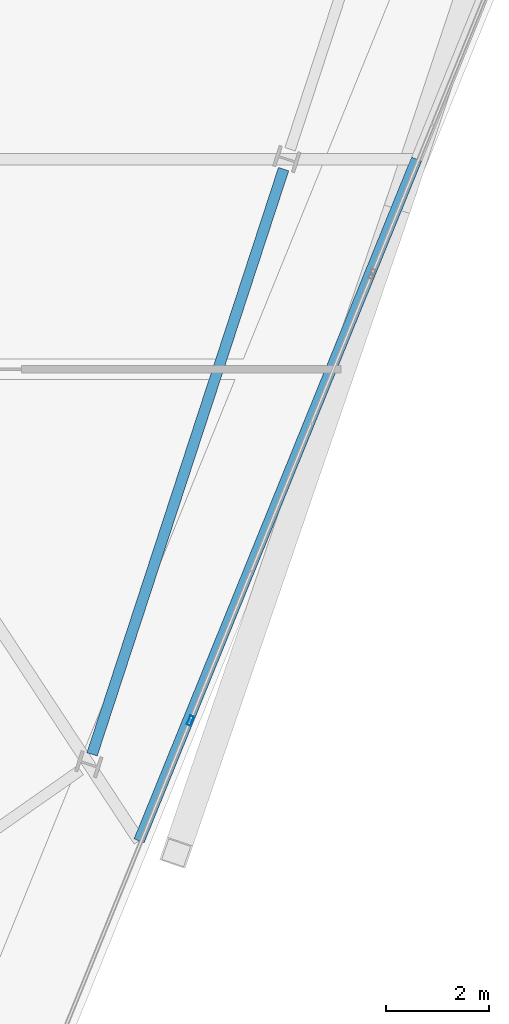
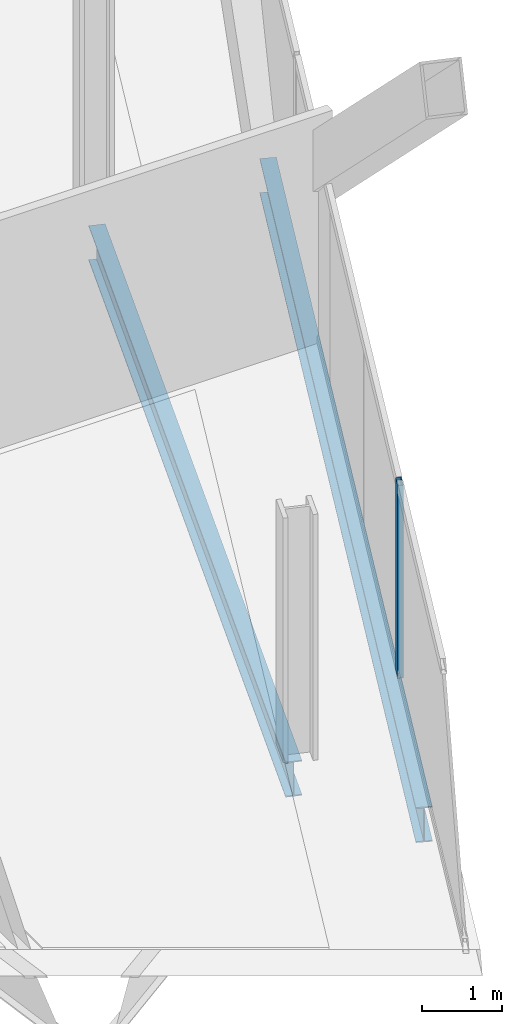
# One storey, part 11 of 31: 2 beams, 1 member, 1 element without a shape of its own.
"""IFC4 building model written with IfcOpenShell, lengths in metres."""

from ifc_helpers import new_model, si_unit, direction, frame, origin, origin_2d, place, context, subcontext, project, spatial, hollow_rectangle, i_section, extrude, material, material_profile, profile_set, type_object, element, aggregate, save


model = new_model("IFC4")

# Units and contexts
model_context = context("Model", 3, precision=1e-05, world=origin(), true_north=direction((0.0, 1.0)))
body_context = subcontext(model_context, "Body", "Model", "MODEL_VIEW")
ifc_project = project(units=[si_unit("LENGTHUNIT", "METRE"), si_unit("AREAUNIT", "SQUARE_METRE"), si_unit("VOLUMEUNIT", "CUBIC_METRE"), si_unit("PLANEANGLEUNIT", "RADIAN"), si_unit("MASSUNIT", "GRAM", prefix="KILO")], contexts=[model_context])

# Site, building, storey
site_placement = place(None, origin())
site = spatial("IfcSite", under=ifc_project, at=site_placement, CompositionType="ELEMENT")
building_placement = place(site_placement, origin())
building = spatial("IfcBuilding", under=site, at=building_placement, Name="Haldenkirk Collegiate Tower", CompositionType="ELEMENT")
storey_placement = place(building_placement, frame((0.0, 0.0, 256.199951171875)))
storey = spatial("IfcBuildingStorey", under=building, at=storey_placement, Name="L64", CompositionType="ELEMENT", Elevation=256.199951171875)

# Beams
ifc_material_1 = material(Name="Steel ASTM A992 Grade 50", Category="steel")
ifc_material_profile_1 = material_profile(ifc_material_1, i_section(OverallWidth=0.2099609375, OverallDepth=0.537109375, WebThickness=0.010986328125, FlangeThickness=0.017333984375, at=origin_2d()), Name="W21X68")
ifc_profile_set_1 = profile_set([ifc_material_profile_1], Name="Steel ASTM A992 Grade 50")
beam_type = type_object("IfcBeamType", Name="BM-SPANDREL-W21X68", PredefinedType="SPANDREL", material=ifc_profile_set_1)
beam_1_placement = place(storey_placement, frame((51.7060546875, 8.081298828125, -0.538330078125), z_axis=(0.311010188249, 0.950406577631, 0.0), x_axis=(-0.950406577631, 0.311010188249, 0.0)))
element("IfcBeam", 1, at=beam_1_placement, inside=storey, type_object=beam_type, Name="L64 perimeter spandrel beam 02", PredefinedType="SPANDREL", context=body_context, shape_type="SweptSolid", body=[
    extrude(i_section(OverallWidth=0.2099609375, OverallDepth=0.537109375, WebThickness=0.010986328125, FlangeThickness=0.017333984375, at=origin_2d()), origin(), (0.0, 0.0, 1.0), 11.94287109375),
])
beam_2_placement = place(storey_placement, frame((52.6181640625, 6.404296875, -0.538330078125), z_axis=(0.377037163959, 0.926198130528, 0.0), x_axis=(-0.926198130528, 0.377037163959, 0.0)))
element("IfcBeam", 2, at=beam_2_placement, inside=storey, type_object=beam_type, Name="L64 outer facade edge beam 1A", PredefinedType="SPANDREL", context=body_context, shape_type="SweptSolid", body=[
    extrude(i_section(OverallWidth=0.2099609375, OverallDepth=0.537109375, WebThickness=0.010986328125, FlangeThickness=0.017333984375, at=origin_2d()), origin(), (0.0, 0.0, 1.0), 14.2734375),
])

# Curtain wall, member
ifc_material_2 = material(Name="Anodised architectural bronze aluminium", Category="aluminium")
curtain_wall_type = type_object("IfcCurtainWallType", Name="CW-SYS2-CONCAVE", PredefinedType="USERDEFINED", material=ifc_material_2)
curtain_wall_placement = place(storey_placement, origin())
curtain_wall = element("IfcCurtainWall", 3, at=curtain_wall_placement, inside=storey, type_object=curtain_wall_type, Name="L64 South concave recessed bronze-anodised curtain wall", ObjectType="UNITISED CURTAIN WALL", PredefinedType="USERDEFINED")
ifc_material_profile_2 = material_profile(ifc_material_2, hollow_rectangle(XDim=0.074951171875, YDim=0.18994140625, WallThickness=0.0048828125, at=origin_2d()), Name="CW-MUL-02")
ifc_profile_set_2 = profile_set([ifc_material_profile_2], Name="Anodised architectural bronze aluminium")
member_type = type_object("IfcMemberType", Name="CW-MUL-02", PredefinedType="MULLION", material=ifc_profile_set_2)
member_placement = place(storey_placement, frame((53.610595703125, 8.736083984375, 0.0), z_axis=(0.0, 0.0, 1.0), x_axis=(0.926200245722, -0.377031967908, 0.0)))
member = element("IfcMember", 4, at=member_placement, type_object=member_type, Name="CW-02 mullion 4", PredefinedType="MULLION", context=body_context, shape_type="SweptSolid", body=[
    extrude(hollow_rectangle(XDim=0.074951171875, YDim=0.18994140625, WallThickness=0.0048828125, at=origin_2d()), origin(), (0.0, 0.0, 1.0), 2.93798828125),
])
aggregate(curtain_wall, [member])

save(model, "model.ifc")
